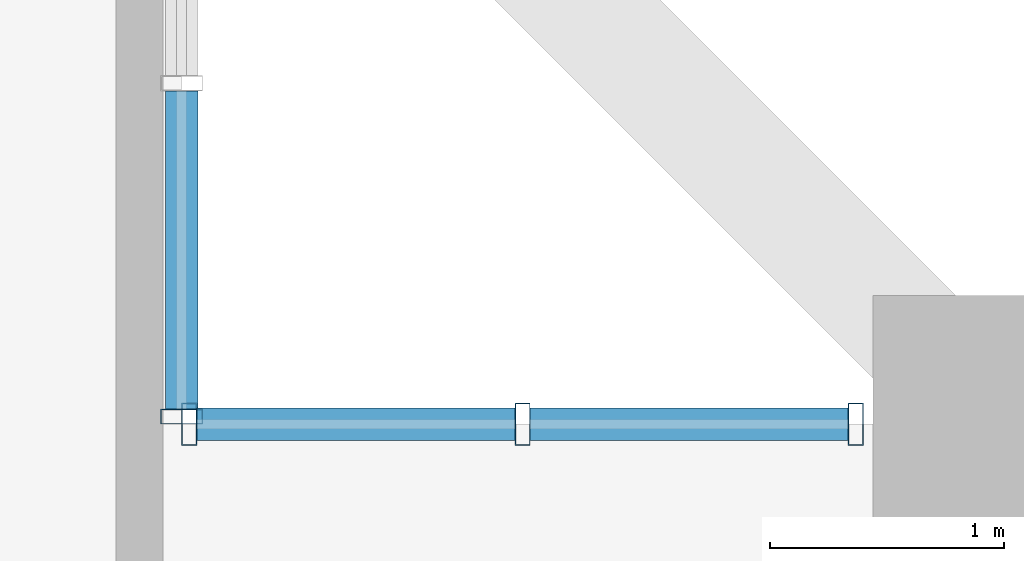
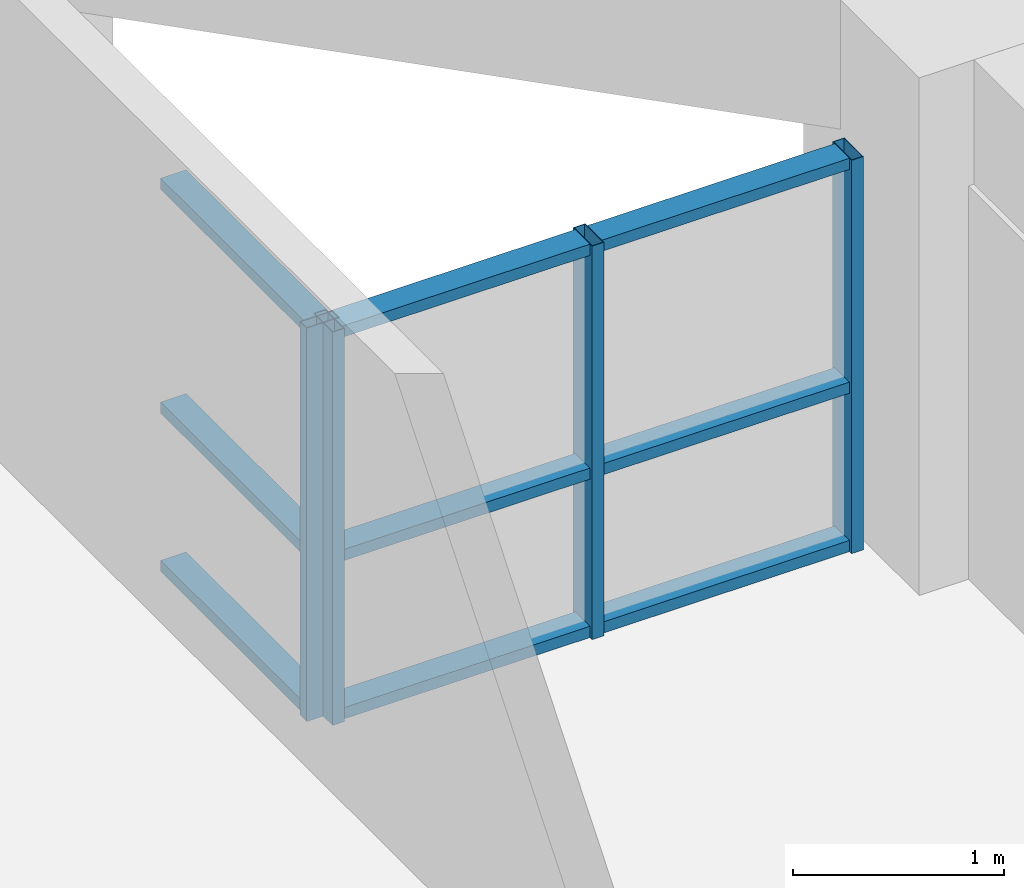
# One storey, part 10 of 28: 13 members, 2 elements without a shape of their own.
"""IFC4 building model written with IfcOpenShell, lengths in metres."""

from ifc_helpers import new_model, si_unit, direction, frame, origin, origin_2d, place, context, subcontext, project, spatial, hollow_rectangle, extrude, source, transform, mapped, material, layer, layer_set, material_profile, profile_set, type_object, element, aggregate, save


model = new_model("IFC4")

# Units and contexts
model_context = context("Model", 3, precision=1e-05, world=origin(), true_north=direction((0.0, 1.0)))
body_context = subcontext(model_context, "Body", "Model", "MODEL_VIEW")
ifc_project = project(units=[si_unit("LENGTHUNIT", "METRE"), si_unit("AREAUNIT", "SQUARE_METRE"), si_unit("VOLUMEUNIT", "CUBIC_METRE"), si_unit("PLANEANGLEUNIT", "RADIAN"), si_unit("MASSUNIT", "GRAM", prefix="KILO")], contexts=[model_context])

# Site, building, storey
site_placement = place(None, origin())
site = spatial("IfcSite", under=ifc_project, at=site_placement, CompositionType="ELEMENT")
building_placement = place(site_placement, origin())
building = spatial("IfcBuilding", under=site, at=building_placement, Name="Saelheon Loggia Tower", CompositionType="ELEMENT")
storey_placement = place(building_placement, frame((0.0, 0.0, 61.39990234375)))
storey = spatial("IfcBuildingStorey", under=building, at=storey_placement, Name="L19", CompositionType="ELEMENT", Elevation=61.39990234375)

# Curtain wall, member
ifc_material_1 = material(Name="Thermal-Break Aluminium and Triple Low-E Glass", Category="aluminium")
ifc_layer = layer(ifc_material_1, 0.159912109375)
ifc_layer_set = layer_set([ifc_layer], Name="Thermal-Break Aluminium and Triple Low-E Glass")
curtain_wall_type = type_object("IfcCurtainWallType", Name="CW_TowerLoggiaLow", PredefinedType="NOTDEFINED", material=ifc_layer_set)
curtain_wall_1_placement = place(storey_placement, origin())
curtain_wall_1 = element("IfcCurtainWall", 1, at=curtain_wall_1_placement, inside=storey, type_object=curtain_wall_type, Name="L19 Corner Notch Glazing NE1", PredefinedType="NOTDEFINED")
ifc_material_2 = material(Name="Anodised Aluminium 6063-T6", Category="aluminium")
ifc_material_profile_1 = material_profile(ifc_material_2, hollow_rectangle(XDim=0.06494140625, YDim=0.179931640625, WallThickness=0.00390625, at=origin_2d()), Name="RHS-180x65x4")
ifc_profile_set_1 = profile_set([ifc_material_profile_1], Name="Anodised Aluminium 6063-T6")
member_type_1 = type_object("IfcMemberType", Name="CW_TowerLoggiaLow_Mullion", PredefinedType="MULLION", material=ifc_profile_set_1)
shared_shape_1 = source(origin(), body_context, "Body", "SweptSolid", [
    extrude(hollow_rectangle(XDim=0.06494140625, YDim=0.179931640625, WallThickness=0.00390625, at=origin_2d()), origin(), (0.0, 0.0, 1.0), 2.280029296875),
])
member_1_placement = place(storey_placement, frame((60.5, 47.532470703125, 0.0), z_axis=(0.0, 0.0, 1.0), x_axis=(0.0, 1.0, 0.0)))
member_1 = element("IfcMember", 2, at=member_1_placement, type_object=member_type_1, Name="CW3 mullion 1", PredefinedType="MULLION", context=body_context, shape_type="MappedRepresentation", body=[
    mapped(shared_shape_1, transform((0.0, 0.0, 0.0), scale=1.0)),
])

# Curtain wall, members
curtain_wall_2_placement = place(storey_placement, origin())
curtain_wall_2 = element("IfcCurtainWall", 3, at=curtain_wall_2_placement, inside=storey, type_object=curtain_wall_type, Name="L19 Corner Notch Glazing NE2", PredefinedType="NOTDEFINED")
member_2_placement = place(storey_placement, frame((60.532470703125, 47.5, 0.0), z_axis=(0.0, 0.0, 1.0), x_axis=(1.0, 0.0, 0.0)))
member_2 = element("IfcMember", 4, at=member_2_placement, type_object=member_type_1, Name="CW3 mullion 1", PredefinedType="MULLION", context=body_context, shape_type="MappedRepresentation", body=[
    mapped(shared_shape_1, transform((0.0, 0.0, 0.0), scale=1.0)),
])
member_3_placement = place(storey_placement, frame((61.955078125, 47.5, 0.0), z_axis=(0.0, 0.0, 1.0), x_axis=(1.0, 0.0, 0.0)))
member_3 = element("IfcMember", 5, at=member_3_placement, type_object=member_type_1, Name="CW3 mullion 2", PredefinedType="MULLION", context=body_context, shape_type="MappedRepresentation", body=[
    mapped(shared_shape_1, transform((0.0, 0.0, 0.0), scale=1.0)),
])
member_4_placement = place(storey_placement, frame((63.37744140625, 47.5, 0.0), z_axis=(0.0, 0.0, 1.0), x_axis=(1.0, 0.0, 0.0)))
member_4 = element("IfcMember", 6, at=member_4_placement, type_object=member_type_1, Name="CW3 mullion 3", PredefinedType="MULLION", context=body_context, shape_type="MappedRepresentation", body=[
    mapped(shared_shape_1, transform((0.0, 0.0, 0.0), scale=1.0)),
])
ifc_material_profile_2 = material_profile(ifc_material_2, hollow_rectangle(XDim=0.06494140625, YDim=0.139892578125, WallThickness=0.00390625, at=origin_2d()), Name="RHS-140x65x4")
ifc_profile_set_2 = profile_set([ifc_material_profile_2], Name="Anodised Aluminium 6063-T6")
member_type_2 = type_object("IfcMemberType", Name="CW_TowerLoggiaLow_Transom", PredefinedType="USERDEFINED", material=ifc_profile_set_2)
shared_shape_2 = source(origin(), body_context, "Body", "SweptSolid", [
    extrude(hollow_rectangle(XDim=0.06494140625, YDim=0.139892578125, WallThickness=0.00390625, at=origin_2d()), origin(), (0.0, 0.0, 1.0), 1.357421875),
])
member_5_placement = place(storey_placement, frame((61.987548828125, 47.5, 0.03271484375), z_axis=(1.0, 0.0, 0.0), x_axis=(0.0, 0.0, 1.0)))
member_5 = element("IfcMember", 7, at=member_5_placement, type_object=member_type_2, Name="CW3 transom 2.1", ObjectType="TRANSOM", PredefinedType="USERDEFINED", context=body_context, shape_type="MappedRepresentation", body=[
    mapped(shared_shape_2, transform((0.0, 0.0, 0.0), scale=1.0)),
])
member_6_placement = place(storey_placement, frame((61.987548828125, 47.5, 0.9501953125), z_axis=(1.0, 0.0, 0.0), x_axis=(0.0, 0.0, 1.0)))
member_6 = element("IfcMember", 8, at=member_6_placement, type_object=member_type_2, Name="CW3 transom 2.2", ObjectType="TRANSOM", PredefinedType="USERDEFINED", context=body_context, shape_type="MappedRepresentation", body=[
    mapped(shared_shape_2, transform((0.0, 0.0, 0.0), scale=1.0)),
])
member_7_placement = place(storey_placement, frame((61.987548828125, 47.5, 2.24755859375), z_axis=(1.0, 0.0, 0.0), x_axis=(0.0, 0.0, 1.0)))
member_7 = element("IfcMember", 9, at=member_7_placement, type_object=member_type_2, Name="CW3 transom 2.3", ObjectType="TRANSOM", PredefinedType="USERDEFINED", context=body_context, shape_type="MappedRepresentation", body=[
    mapped(shared_shape_2, transform((0.0, 0.0, 0.0), scale=1.0)),
])

# Member
shared_shape_3 = source(origin(), body_context, "Body", "SweptSolid", [
    extrude(hollow_rectangle(XDim=0.06494140625, YDim=0.139892578125, WallThickness=0.00390625, at=origin_2d()), origin(), (0.0, 0.0, 1.0), 1.357666015625),
])
member_8_placement = place(storey_placement, frame((60.5, 47.56494140625, 0.03271484375), z_axis=(0.0, 1.0, 0.0), x_axis=(0.0, 0.0, 1.0)))
member_8 = element("IfcMember", 10, at=member_8_placement, type_object=member_type_2, Name="CW3 transom 1.1", ObjectType="TRANSOM", PredefinedType="USERDEFINED", context=body_context, shape_type="MappedRepresentation", body=[
    mapped(shared_shape_3, transform((0.0, 0.0, 0.0), scale=1.0)),
])

member_9_placement = place(storey_placement, frame((60.5, 47.56494140625, 0.9501953125), z_axis=(0.0, 1.0, 0.0), x_axis=(0.0, 0.0, 1.0)))
member_9 = element("IfcMember", 11, at=member_9_placement, type_object=member_type_2, Name="CW3 transom 1.2", ObjectType="TRANSOM", PredefinedType="USERDEFINED", context=body_context, shape_type="MappedRepresentation", body=[
    mapped(shared_shape_3, transform((0.0, 0.0, 0.0), scale=1.0)),
])

member_10_placement = place(storey_placement, frame((60.5, 47.56494140625, 2.24755859375), z_axis=(0.0, 1.0, 0.0), x_axis=(0.0, 0.0, 1.0)))
member_10 = element("IfcMember", 12, at=member_10_placement, type_object=member_type_2, Name="CW3 transom 1.3", ObjectType="TRANSOM", PredefinedType="USERDEFINED", context=body_context, shape_type="MappedRepresentation", body=[
    mapped(shared_shape_3, transform((0.0, 0.0, 0.0), scale=1.0)),
])

aggregate(curtain_wall_1, [member_1, member_8, member_9, member_10])

member_11_placement = place(storey_placement, frame((60.56494140625, 47.5, 0.03271484375), z_axis=(1.0, 0.0, 0.0), x_axis=(0.0, 0.0, 1.0)))
member_11 = element("IfcMember", 13, at=member_11_placement, type_object=member_type_2, Name="CW3 transom 1.1", ObjectType="TRANSOM", PredefinedType="USERDEFINED", context=body_context, shape_type="MappedRepresentation", body=[
    mapped(shared_shape_3, transform((0.0, 0.0, 0.0), scale=1.0)),
])

member_12_placement = place(storey_placement, frame((60.56494140625, 47.5, 0.9501953125), z_axis=(1.0, 0.0, 0.0), x_axis=(0.0, 0.0, 1.0)))
member_12 = element("IfcMember", 14, at=member_12_placement, type_object=member_type_2, Name="CW3 transom 1.2", ObjectType="TRANSOM", PredefinedType="USERDEFINED", context=body_context, shape_type="MappedRepresentation", body=[
    mapped(shared_shape_3, transform((0.0, 0.0, 0.0), scale=1.0)),
])

member_13_placement = place(storey_placement, frame((60.56494140625, 47.5, 2.24755859375), z_axis=(1.0, 0.0, 0.0), x_axis=(0.0, 0.0, 1.0)))
member_13 = element("IfcMember", 15, at=member_13_placement, type_object=member_type_2, Name="CW3 transom 1.3", ObjectType="TRANSOM", PredefinedType="USERDEFINED", context=body_context, shape_type="MappedRepresentation", body=[
    mapped(shared_shape_3, transform((0.0, 0.0, 0.0), scale=1.0)),
])

aggregate(curtain_wall_2, [member_2, member_3, member_4, member_11, member_12, member_13, member_5, member_6, member_7])

save(model, "model.ifc")
